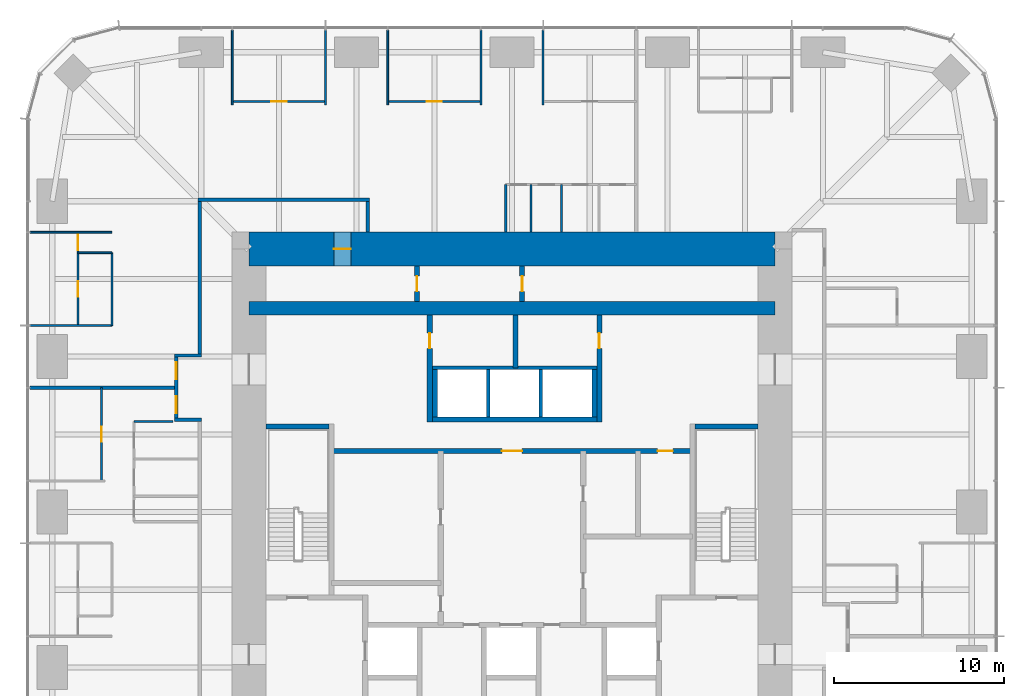
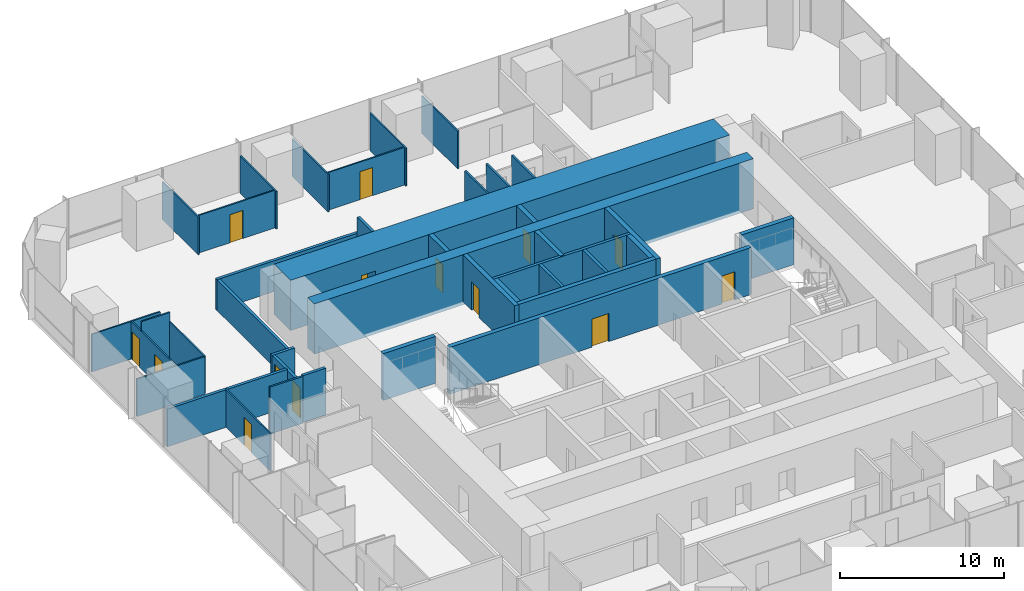
# One storey, part 11 of 13: 40 walls, 14 doors, 14 openings.
"""IFC4 building model written with IfcOpenShell, lengths in metres."""

from ifc_helpers import new_model, si_unit, direction, frame, frame_2d, origin, place, context, subcontext, project, spatial, rectangle, extrude, material, layer, layer_set, type_object, element, fill, save


model = new_model("IFC4")

# Units and contexts
model_context = context("Model", 3, precision=1e-05, world=origin(), true_north=direction((0.0, 1.0)))
body_context = subcontext(model_context, "Body", "Model", "MODEL_VIEW")
ifc_project = project(units=[si_unit("LENGTHUNIT", "METRE"), si_unit("AREAUNIT", "SQUARE_METRE"), si_unit("VOLUMEUNIT", "CUBIC_METRE"), si_unit("PLANEANGLEUNIT", "RADIAN"), si_unit("MASSUNIT", "GRAM", prefix="KILO")], contexts=[model_context])

# Site, building, storey
site_placement = place(None, origin())
site = spatial("IfcSite", under=ifc_project, at=site_placement, CompositionType="ELEMENT")
building_placement = place(site_placement, origin())
building = spatial("IfcBuilding", under=site, at=building_placement, Name="Khuree Lantern Residences", CompositionType="ELEMENT")
storey_placement = place(building_placement, frame((0.0, 0.0, 152.25)))
storey = spatial("IfcBuildingStorey", under=building, at=storey_placement, Name="L38", CompositionType="ELEMENT", Elevation=152.25)

# Walls
ifc_material_1 = material(Name="Moisture-resistant gypsum board on steel studs", Category="steel")
ifc_layer_1 = layer(ifc_material_1, 0.125)
ifc_layer_set_1 = layer_set([ifc_layer_1], Name="BATHROOM WALL BTW125")
wall_type_1 = type_object("IfcWallType", Name="BATHROOM WALL BTW125", PredefinedType="PARTITIONING", material=ifc_layer_set_1)
for number, where, z_axis, x_axis, name in (
    (1, (2.927978515625, 16.5, 0.0), (0.0, 0.0, 1.0), (0.0, 1.0, 0.0), "L38 BATHROOM WALL 03"),
    (2, (1.1279296875, 16.5, 0.0), (0.0, 0.0, 1.0), (0.0, 1.0, 0.0), "L38 BATHROOM WALL 03"),
    (3, (-0.3720703125, 16.5, 0.0), (0.0, 0.0, 1.0), (0.0, 1.0, 0.0), "L38 BATHROOM WALL 03"),
):
    element("IfcWall", number, at=place(storey_placement, frame(where, z_axis=z_axis, x_axis=x_axis)), inside=storey, type_object=wall_type_1, Name=name, PredefinedType="PARTITIONING", context=body_context, shape_type="SweptSolid", body=[
        extrude(rectangle(XDim=2.800048828125, YDim=0.125, at=frame_2d((1.39990234375, 0.0))), origin(), (0.0, 0.0, 1.0), 3.5),
    ])
wall_1_placement = place(storey_placement, frame((-19.969970703125, 5.327880859375, 0.0), z_axis=(0.0, 0.0, 1.0), x_axis=(-1.0, 0.0, 0.0)))
element("IfcWall", 4, at=wall_1_placement, inside=storey, type_object=wall_type_1, Name="L38 BATHROOM WALL 04", PredefinedType="PARTITIONING", context=body_context, shape_type="SweptSolid", body=[
    extrude(rectangle(XDim=2.309814453125, YDim=0.125, at=frame_2d((1.15478515625, 0.0))), origin(), (0.0, 0.0, 1.0), 3.5),
])
ifc_material_2 = material(Name="Dense concrete blockwork", Category="masonry")
ifc_layer_2 = layer(ifc_material_2, 0.300048828125)
ifc_layer_set_2 = layer_set([ifc_layer_2], Name="CORE PARTITION WALL CPW300 EI 120")
wall_type_2 = type_object("IfcWallType", Name="CORE PARTITION WALL CPW300 EI 120", PredefinedType="PARTITIONING", material=ifc_layer_set_2)
wall_2_placement = place(storey_placement, frame((-4.699951171875, 5.449951171875, 0.0), z_axis=(0.0, 0.0, 1.0), x_axis=(1.0, 0.0, 0.0)))
element("IfcWall", 5, at=wall_2_placement, inside=storey, type_object=wall_type_2, Name="L38 CORE WALL PHS", PredefinedType="PARTITIONING", context=body_context, shape_type="SweptSolid", body=[
    extrude(rectangle(XDim=9.699951171875, YDim=0.300048828125, at=frame_2d((4.85009765625, 0.0))), origin(), (0.0, 0.0, 1.0), 3.5),
])
for number, where, z_axis, x_axis, name in (
    (6, (-4.550048828125, 5.60009765625, 0.0), (0.0, 0.0, 1.0), (0.0, 1.0, 0.0), "L38 CORE WALL PHW"),
    (7, (4.85009765625, 5.60009765625, 0.0), (0.0, 0.0, 1.0), (0.0, 1.0, 0.0), "L38 CORE WALL PHE"),
):
    element("IfcWall", number, at=place(storey_placement, frame(where, z_axis=z_axis, x_axis=x_axis)), inside=storey, type_object=wall_type_2, Name=name, PredefinedType="PARTITIONING", context=body_context, shape_type="SweptSolid", body=[
        extrude(rectangle(XDim=2.7998046875, YDim=0.300048828125, at=frame_2d((1.39990234375, 0.0))), origin(), (0.0, 0.0, 1.0), 3.5),
    ])

# Wall, openings, doors
wall_3_placement = place(storey_placement, frame((-10.64990234375, 3.60009765625, 0.0), z_axis=(0.0, 0.0, 1.0), x_axis=(1.0, 0.0, 0.0)))
wall_3 = element("IfcWall", 8, at=wall_3_placement, inside=storey, type_object=wall_type_2, Name="L38 CORE WALL LLS", PredefinedType="PARTITIONING", context=body_context, shape_type="SweptSolid", body=[
    extrude(rectangle(XDim=21.2998046875, YDim=0.300048828125, at=frame_2d((10.64990234375, 0.0))), origin(), (0.0, 0.0, 1.0), 3.5),
])
opening_1_placement = place(wall_3_placement, frame((10.050048828125, 0.0, 0.0)))
opening_1 = element("IfcOpeningElement", 9, at=opening_1_placement, cuts=wall_3, Name="Opening 38-013", PredefinedType="OPENING", context=body_context, shape_type="SweptSolid", body=[
    extrude(rectangle(XDim=1.199951171875, YDim=2.10009765625, at=frame_2d((0.60009765625, 1.050048828125))), frame((0.0, 0.16015625, 0.0), z_axis=(0.0, -1.0, 0.0), x_axis=(1.0, 0.0, 0.0)), (0.0, 0.0, 1.0), 0.320068359375),
])
opening_2_placement = place(wall_3_placement, frame((19.238037109375, 0.0, 0.0)))
opening_2 = element("IfcOpeningElement", 10, at=opening_2_placement, cuts=wall_3, Name="Opening 38-020", PredefinedType="OPENING", context=body_context, shape_type="SweptSolid", body=[
    extrude(rectangle(XDim=0.89990234375, YDim=2.10009765625, at=frame_2d((0.449951171875, 1.050048828125))), frame((0.0, 0.16015625, 0.0), z_axis=(0.0, -1.0, 0.0), x_axis=(1.0, 0.0, 0.0)), (0.0, 0.0, 1.0), 0.320068359375),
])
ifc_material_3 = material(Name="Steel door leaf in steel frame", Category="steel")
door_type_1 = type_object("IfcDoorType", Name="DOOR 1200X2100 EI 60", OperationType="SINGLE_SWING_LEFT", PredefinedType="DOOR", material=ifc_material_3)
door_1_placement = place(opening_1_placement, origin())
door_1 = element("IfcDoor", 11, at=door_1_placement, inside=storey, type_object=door_type_1, Name="Service lift lobby door 38-013", OperationType="SINGLE_SWING_LEFT", OverallHeight=2.10009765625, OverallWidth=1.199951171875, PredefinedType="DOOR", context=body_context, shape_type="SweptSolid", body=[
    extrude(rectangle(XDim=1.199951171875, YDim=2.10009765625, at=frame_2d((0.60009765625, 1.050048828125))), frame((0.0, 0.02490234375, 0.0), z_axis=(0.0, -1.0, 0.0), x_axis=(1.0, 0.0, 0.0)), (0.0, 0.0, 1.0), 0.050048828125),
])
fill(opening_1, door_1)
ifc_material_4 = material(Name="Timber door leaf in hardwood frame", Category="wood")
door_type_2 = type_object("IfcDoorType", Name="DOOR 900X2100 RIGHT HAND", OperationType="SINGLE_SWING_RIGHT", PredefinedType="DOOR", material=ifc_material_4)
door_2_placement = place(opening_2_placement, origin())
door_2 = element("IfcDoor", 12, at=door_2_placement, inside=storey, type_object=door_type_2, Name="Housekeeping store door 38-020", OperationType="SINGLE_SWING_RIGHT", OverallHeight=2.10009765625, OverallWidth=0.89990234375, PredefinedType="DOOR", context=body_context, shape_type="SweptSolid", body=[
    extrude(rectangle(XDim=0.89990234375, YDim=2.10009765625, at=frame_2d((0.449951171875, 1.050048828125))), frame((0.0, 0.02490234375, 0.0), z_axis=(0.0, -1.0, 0.0), x_axis=(1.0, 0.0, 0.0)), (0.0, 0.0, 1.0), 0.050048828125),
])
fill(opening_2, door_2)

# Wall, opening, door
wall_4_placement = place(storey_placement, frame((-4.85009765625, 5.300048828125, 0.0), z_axis=(0.0, 0.0, 1.0), x_axis=(0.0, 1.0, 0.0)))
wall_4 = element("IfcWall", 13, at=wall_4_placement, inside=storey, type_object=wall_type_2, Name="L38 CORE WALL NW", PredefinedType="PARTITIONING", context=body_context, shape_type="SweptSolid", body=[
    extrude(rectangle(XDim=6.300048828125, YDim=0.300048828125, at=frame_2d((3.14990234375, 0.0))), origin(), (0.0, 0.0, 1.0), 3.5),
])
opening_3_placement = place(wall_4_placement, frame((4.35009765625, 0.0, 0.0)))
opening_3 = element("IfcOpeningElement", 14, at=opening_3_placement, cuts=wall_4, Name="Opening 38-021", PredefinedType="OPENING", context=body_context, shape_type="SweptSolid", body=[
    extrude(rectangle(XDim=0.89990234375, YDim=2.10009765625, at=frame_2d((0.449951171875, 1.050048828125))), frame((0.0, 0.16015625, 0.0), z_axis=(0.0, -1.0, 0.0), x_axis=(1.0, 0.0, 0.0)), (0.0, 0.0, 1.0), 0.320068359375),
])
door_3_placement = place(opening_3_placement, origin())
door_3 = element("IfcDoor", 15, at=door_3_placement, inside=storey, type_object=door_type_2, Name="Building management room door 38-021", OperationType="SINGLE_SWING_RIGHT", OverallHeight=2.10009765625, OverallWidth=0.89990234375, PredefinedType="DOOR", context=body_context, shape_type="SweptSolid", body=[
    extrude(rectangle(XDim=0.89990234375, YDim=2.10009765625, at=frame_2d((0.449951171875, 1.050048828125))), frame((0.0, 0.02490234375, 0.0), z_axis=(0.0, -1.0, 0.0), x_axis=(1.0, 0.0, 0.0)), (0.0, 0.0, 1.0), 0.050048828125),
])
fill(opening_3, door_3)

wall_5_placement = place(storey_placement, frame((5.14990234375, 5.300048828125, 0.0), z_axis=(0.0, 0.0, 1.0), x_axis=(0.0, 1.0, 0.0)))
wall_5 = element("IfcWall", 16, at=wall_5_placement, inside=storey, type_object=wall_type_2, Name="L38 CORE WALL NE", PredefinedType="PARTITIONING", context=body_context, shape_type="SweptSolid", body=[
    extrude(rectangle(XDim=6.300048828125, YDim=0.300048828125, at=frame_2d((3.14990234375, 0.0))), origin(), (0.0, 0.0, 1.0), 3.5),
])
opening_4_placement = place(wall_5_placement, frame((4.35009765625, 0.0, 0.0)))
opening_4 = element("IfcOpeningElement", 17, at=opening_4_placement, cuts=wall_5, Name="Opening 38-022", PredefinedType="OPENING", context=body_context, shape_type="SweptSolid", body=[
    extrude(rectangle(XDim=0.89990234375, YDim=2.10009765625, at=frame_2d((0.449951171875, 1.050048828125))), frame((0.0, 0.16015625, 0.0), z_axis=(0.0, -1.0, 0.0), x_axis=(1.0, 0.0, 0.0)), (0.0, 0.0, 1.0), 0.320068359375),
])
door_type_3 = type_object("IfcDoorType", Name="DOOR 900X2100", OperationType="SINGLE_SWING_LEFT", PredefinedType="DOOR", material=ifc_material_4)
door_4_placement = place(opening_4_placement, origin())
door_4 = element("IfcDoor", 18, at=door_4_placement, inside=storey, type_object=door_type_3, Name="Refuse holding room door 38-022", OperationType="SINGLE_SWING_LEFT", OverallHeight=2.10009765625, OverallWidth=0.89990234375, PredefinedType="DOOR", context=body_context, shape_type="SweptSolid", body=[
    extrude(rectangle(XDim=0.89990234375, YDim=2.10009765625, at=frame_2d((0.449951171875, 1.050048828125))), frame((0.0, 0.02490234375, 0.0), z_axis=(0.0, -1.0, 0.0), x_axis=(1.0, 0.0, 0.0)), (0.0, 0.0, 1.0), 0.050048828125),
])
fill(opening_4, door_4)

# Wall
wall_6_placement = place(storey_placement, frame((0.199951171875, 8.5, 0.0), z_axis=(0.0, 0.0, 1.0), x_axis=(0.0, 1.0, 0.0)))
element("IfcWall", 19, at=wall_6_placement, inside=storey, type_object=wall_type_2, Name="L38 CORE WALL NX", PredefinedType="PARTITIONING", context=body_context, shape_type="SweptSolid", body=[
    extrude(rectangle(XDim=3.10009765625, YDim=0.300048828125, at=frame_2d((1.550048828125, 0.0))), origin(), (0.0, 0.0, 1.0), 3.5),
])

# Wall, opening, door
wall_7_placement = place(storey_placement, frame((-5.60009765625, 12.39990234375, 0.0), z_axis=(0.0, 0.0, 1.0), x_axis=(0.0, 1.0, 0.0)))
wall_7 = element("IfcWall", 20, at=wall_7_placement, inside=storey, type_object=wall_type_2, Name="L38 CORE WALL PLX", PredefinedType="PARTITIONING", context=body_context, shape_type="SweptSolid", body=[
    extrude(rectangle(XDim=2.10009765625, YDim=0.300048828125, at=frame_2d((1.050048828125, 0.0))), origin(), (0.0, 0.0, 1.0), 3.5),
])
opening_5_placement = place(wall_7_placement, frame((0.60009765625, 0.0, 0.0)))
opening_5 = element("IfcOpeningElement", 21, at=opening_5_placement, cuts=wall_7, Name="Opening 38-023", PredefinedType="OPENING", context=body_context, shape_type="SweptSolid", body=[
    extrude(rectangle(XDim=0.89990234375, YDim=2.10009765625, at=frame_2d((0.449951171875, 1.050048828125))), frame((0.0, 0.16015625, 0.0), z_axis=(0.0, -1.0, 0.0), x_axis=(1.0, 0.0, 0.0)), (0.0, 0.0, 1.0), 0.320068359375),
])
door_5_placement = place(opening_5_placement, origin())
door_5 = element("IfcDoor", 22, at=door_5_placement, inside=storey, type_object=door_type_3, Name="Spares store door 38-023", OperationType="SINGLE_SWING_LEFT", OverallHeight=2.10009765625, OverallWidth=0.89990234375, PredefinedType="DOOR", context=body_context, shape_type="SweptSolid", body=[
    extrude(rectangle(XDim=0.89990234375, YDim=2.10009765625, at=frame_2d((0.449951171875, 1.050048828125))), frame((0.0, 0.02490234375, 0.0), z_axis=(0.0, -1.0, 0.0), x_axis=(1.0, 0.0, 0.0)), (0.0, 0.0, 1.0), 0.050048828125),
])
fill(opening_5, door_5)

wall_8_placement = place(storey_placement, frame((0.60009765625, 12.39990234375, 0.0), z_axis=(0.0, 0.0, 1.0), x_axis=(0.0, 1.0, 0.0)))
wall_8 = element("IfcWall", 23, at=wall_8_placement, inside=storey, type_object=wall_type_2, Name="L38 CORE WALL PLY", PredefinedType="PARTITIONING", context=body_context, shape_type="SweptSolid", body=[
    extrude(rectangle(XDim=2.10009765625, YDim=0.300048828125, at=frame_2d((1.050048828125, 0.0))), origin(), (0.0, 0.0, 1.0), 3.5),
])
opening_6_placement = place(wall_8_placement, frame((0.60009765625, 0.0, 0.0)))
opening_6 = element("IfcOpeningElement", 24, at=opening_6_placement, cuts=wall_8, Name="Opening 38-024", PredefinedType="OPENING", context=body_context, shape_type="SweptSolid", body=[
    extrude(rectangle(XDim=0.89990234375, YDim=2.10009765625, at=frame_2d((0.449951171875, 1.050048828125))), frame((0.0, 0.16015625, 0.0), z_axis=(0.0, -1.0, 0.0), x_axis=(1.0, 0.0, 0.0)), (0.0, 0.0, 1.0), 0.320068359375),
])
door_6_placement = place(opening_6_placement, origin())
door_6 = element("IfcDoor", 25, at=door_6_placement, inside=storey, type_object=door_type_3, Name="Housekeeping store door 38-024", OperationType="SINGLE_SWING_LEFT", OverallHeight=2.10009765625, OverallWidth=0.89990234375, PredefinedType="DOOR", context=body_context, shape_type="SweptSolid", body=[
    extrude(rectangle(XDim=0.89990234375, YDim=2.10009765625, at=frame_2d((0.449951171875, 1.050048828125))), frame((0.0, 0.02490234375, 0.0), z_axis=(0.0, -1.0, 0.0), x_axis=(1.0, 0.0, 0.0)), (0.0, 0.0, 1.0), 0.050048828125),
])
fill(opening_6, door_6)

# Walls
ifc_material_5 = material(Name="Gypsum board on steel studs", Category="steel")
ifc_layer_3 = layer(ifc_material_5, 0.199951171875)
ifc_layer_set_3 = layer_set([ifc_layer_3], Name="CORRIDOR WALL CRW200 EI 60")
wall_type_3 = type_object("IfcWallType", Name="CORRIDOR WALL CRW200 EI 60", PredefinedType="PARTITIONING", material=ifc_layer_set_3)
wall_9_placement = place(storey_placement, frame((-18.5, 18.39990234375, 0.0), z_axis=(0.0, 0.0, 1.0), x_axis=(1.0, 0.0, 0.0)))
element("IfcWall", 26, at=wall_9_placement, inside=storey, type_object=wall_type_3, Name="L38 CORRIDOR WALL NORTH", PredefinedType="PARTITIONING", context=body_context, shape_type="SweptSolid", body=[
    extrude(rectangle(XDim=10.10009765625, YDim=0.199951171875, at=frame_2d((5.050048828125, 0.0))), origin(), (0.0, 0.0, 1.0), 2.300048828125),
])
wall_10_placement = place(storey_placement, frame((-8.5, 18.300048828125, 0.0), z_axis=(0.0, 0.0, 1.0), x_axis=(0.0, -1.0, 0.0)))
element("IfcWall", 27, at=wall_10_placement, inside=storey, type_object=wall_type_3, Name="L38 NORTH CORRIDOR END WALL", PredefinedType="PARTITIONING", context=body_context, shape_type="SweptSolid", body=[
    extrude(rectangle(XDim=1.800048828125, YDim=0.199951171875, at=frame_2d((0.89990234375, 0.0))), origin(), (0.0, 0.0, 1.0), 3.5),
])
wall_11_placement = place(storey_placement, frame((-18.39990234375, 18.300048828125, 0.0), z_axis=(0.0, 0.0, 1.0), x_axis=(0.0, -1.0, 0.0)))
element("IfcWall", 28, at=wall_11_placement, inside=storey, type_object=wall_type_3, Name="L38 CORRIDOR WALL WEST 1", PredefinedType="PARTITIONING", context=body_context, shape_type="SweptSolid", body=[
    extrude(rectangle(XDim=8.97216796875, YDim=0.199951171875, at=frame_2d((4.486083984375, 0.0))), origin(), (0.0, 0.0, 1.0), 2.300048828125),
])
wall_12_placement = place(storey_placement, frame((-18.300048828125, 9.22802734375, 0.0), z_axis=(0.0, 0.0, 1.0), x_axis=(-1.0, 0.0, 0.0)))
element("IfcWall", 29, at=wall_12_placement, inside=storey, type_object=wall_type_3, Name="L38 CORRIDOR ALCOVE WALL WEST", PredefinedType="PARTITIONING", context=body_context, shape_type="SweptSolid", body=[
    extrude(rectangle(XDim=1.599853515625, YDim=0.199951171875, at=frame_2d((0.7998046875, 0.0))), origin(), (0.0, 0.0, 1.0), 2.699951171875),
])
wall_13_placement = place(storey_placement, frame((-18.300048828125, 5.427978515625, 0.0), z_axis=(0.0, 0.0, 1.0), x_axis=(-1.0, 0.0, 0.0)))
element("IfcWall", 30, at=wall_13_placement, inside=storey, type_object=wall_type_3, Name="L38 CORRIDOR ALCOVE WALL WEST", PredefinedType="PARTITIONING", context=body_context, shape_type="SweptSolid", body=[
    extrude(rectangle(XDim=1.599853515625, YDim=0.199951171875, at=frame_2d((0.7998046875, 0.0))), origin(), (0.0, 0.0, 1.0), 3.5),
])

# Wall, openings, doors
wall_14_placement = place(storey_placement, frame((-19.800048828125, 9.1279296875, 0.0), z_axis=(0.0, 0.0, 1.0), x_axis=(0.0, -1.0, 0.0)))
wall_14 = element("IfcWall", 31, at=wall_14_placement, inside=storey, type_object=wall_type_3, Name="L38 CORRIDOR ALCOVE WALL WEST", PredefinedType="PARTITIONING", context=body_context, shape_type="SweptSolid", body=[
    extrude(rectangle(XDim=3.599853515625, YDim=0.199951171875, at=frame_2d((1.7998046875, 0.0))), origin(), (0.0, 0.0, 1.0), 2.699951171875),
])
opening_7_placement = place(wall_14_placement, frame((0.300048828125, 0.0, 0.0)))
opening_7 = element("IfcOpeningElement", 32, at=opening_7_placement, cuts=wall_14, Name="Opening 38-042", PredefinedType="OPENING", context=body_context, shape_type="SweptSolid", body=[
    extrude(rectangle(XDim=1.0, YDim=2.199951171875, at=frame_2d((0.5, 1.10009765625))), frame((0.0, 0.10986328125, 0.0), z_axis=(0.0, -1.0, 0.0), x_axis=(1.0, 0.0, 0.0)), (0.0, 0.0, 1.0), 0.219970703125),
])
opening_8_placement = place(wall_14_placement, frame((2.300048828125, 0.0, 0.0)))
opening_8 = element("IfcOpeningElement", 33, at=opening_8_placement, cuts=wall_14, Name="Opening 38-051", PredefinedType="OPENING", context=body_context, shape_type="SweptSolid", body=[
    extrude(rectangle(XDim=1.0, YDim=2.199951171875, at=frame_2d((0.5, 1.10009765625))), frame((0.0, 0.10986328125, 0.0), z_axis=(0.0, -1.0, 0.0), x_axis=(1.0, 0.0, 0.0)), (0.0, 0.0, 1.0), 0.219970703125),
])
door_type_4 = type_object("IfcDoorType", Name="APARTMENT ENTRANCE DOOR 1000X2200 EI 30S", OperationType="SINGLE_SWING_LEFT", PredefinedType="DOOR", material=ifc_material_4)
door_7_placement = place(opening_7_placement, origin())
door_7 = element("IfcDoor", 34, at=door_7_placement, inside=storey, type_object=door_type_4, Name="Apartment 03 entrance door 38-042", OperationType="SINGLE_SWING_LEFT", OverallHeight=2.199951171875, OverallWidth=1.0, PredefinedType="DOOR", context=body_context, shape_type="SweptSolid", body=[
    extrude(rectangle(XDim=1.0, YDim=2.199951171875, at=frame_2d((0.5, 1.10009765625))), frame((0.0, 0.02490234375, 0.0), z_axis=(0.0, -1.0, 0.0), x_axis=(1.0, 0.0, 0.0)), (0.0, 0.0, 1.0), 0.050048828125),
])
fill(opening_7, door_7)
door_type_5 = type_object("IfcDoorType", Name="APARTMENT ENTRANCE DOOR 1000X2200 EI 30S RIGHT HAND", OperationType="SINGLE_SWING_RIGHT", PredefinedType="DOOR", material=ifc_material_4)
door_8_placement = place(opening_8_placement, origin())
door_8 = element("IfcDoor", 35, at=door_8_placement, inside=storey, type_object=door_type_5, Name="Apartment 04 entrance door 38-051", OperationType="SINGLE_SWING_RIGHT", OverallHeight=2.199951171875, OverallWidth=1.0, PredefinedType="DOOR", context=body_context, shape_type="SweptSolid", body=[
    extrude(rectangle(XDim=1.0, YDim=2.199951171875, at=frame_2d((0.5, 1.10009765625))), frame((0.0, 0.02490234375, 0.0), z_axis=(0.0, -1.0, 0.0), x_axis=(1.0, 0.0, 0.0)), (0.0, 0.0, 1.0), 0.050048828125),
])
fill(opening_8, door_8)

# Wall, opening, door
ifc_material_6 = material(Name="Concrete C70/85", Category="concrete")
ifc_layer_4 = layer(ifc_material_6, 2.0)
ifc_layer_set_4 = layer_set([ifc_layer_4], Name="CW2000-C70 CORE WALL C70 2000")
wall_type_4 = type_object("IfcWallType", Name="CW2000-C70 CORE WALL C70 2000", PredefinedType="SHEAR", material=ifc_layer_set_4)
wall_15_placement = place(storey_placement, frame((-15.5, 15.5, -0.25), z_axis=(0.0, 0.0, 1.0), x_axis=(1.0, 0.0, 0.0)))
wall_15 = element("IfcWall", 36, at=wall_15_placement, inside=storey, type_object=wall_type_4, Name="Core wall N", PredefinedType="SHEAR", context=body_context, shape_type="SweptSolid", body=[
    extrude(rectangle(XDim=31.0, YDim=2.0, at=frame_2d((15.5, 0.0))), origin(), (0.0, 0.0, 1.0), 3.75),
])
opening_9_placement = place(wall_15_placement, frame((5.0, 0.0, 0.25)))
opening_9 = element("IfcOpeningElement", 37, at=opening_9_placement, cuts=wall_15, Name="Opening 38-025", PredefinedType="OPENING", context=body_context, shape_type="SweptSolid", body=[
    extrude(rectangle(XDim=1.0, YDim=2.10009765625, at=frame_2d((0.5, 1.050048828125))), frame((0.0, 1.010009765625, 0.0), z_axis=(0.0, -1.0, 0.0), x_axis=(1.0, 0.0, 0.0)), (0.0, 0.0, 1.0), 2.02001953125),
])
door_type_6 = type_object("IfcDoorType", Name="DOOR 1000X2100 EI 60 RIGHT HAND", OperationType="SINGLE_SWING_RIGHT", PredefinedType="DOOR", material=ifc_material_3)
door_9_placement = place(opening_9_placement, origin())
door_9 = element("IfcDoor", 38, at=door_9_placement, inside=storey, type_object=door_type_6, Name="Residents' store door 38-025", OperationType="SINGLE_SWING_RIGHT", OverallHeight=2.10009765625, OverallWidth=1.0, PredefinedType="DOOR", context=body_context, shape_type="SweptSolid", body=[
    extrude(rectangle(XDim=1.0, YDim=2.10009765625, at=frame_2d((0.5, 1.050048828125))), frame((0.0, 0.02490234375, 0.0), z_axis=(0.0, -1.0, 0.0), x_axis=(1.0, 0.0, 0.0)), (0.0, 0.0, 1.0), 0.050048828125),
])
fill(opening_9, door_9)

# Walls
ifc_layer_5 = layer(ifc_material_5, 0.199951171875)
ifc_layer_set_5 = layer_set([ifc_layer_5], Name="DEMISING WALL DMW200 EI 90")
wall_type_5 = type_object("IfcWallType", Name="DEMISING WALL DMW200 EI 90", PredefinedType="PARTITIONING", material=ifc_layer_set_5)
wall_16_placement = place(storey_placement, frame((-19.89990234375, 7.327880859375, 0.0), z_axis=(0.0, 0.0, 1.0), x_axis=(-1.0, 0.0, 0.0)))
element("IfcWall", 39, at=wall_16_placement, inside=storey, type_object=wall_type_5, Name="L38 DEMISING WALL 04", PredefinedType="PARTITIONING", context=body_context, shape_type="SweptSolid", body=[
    extrude(rectangle(XDim=8.5, YDim=0.199951171875, at=frame_2d((4.25, 0.0))), origin(), (0.0, 0.0, 1.0), 2.81005859375),
])
ifc_layer_6 = layer(ifc_material_5, 0.10009765625)
ifc_layer_set_6 = layer_set([ifc_layer_6], Name="PARTITION PT100")
wall_type_6 = type_object("IfcWallType", Name="PARTITION PT100", PredefinedType="PARTITIONING", material=ifc_layer_set_6)
for number, where, z_axis, x_axis, name in (
    (40, (1.83203125, 24.0, 0.0), (0.0, 0.0, 1.0), (0.0, 1.0, 0.0), "L38 PARTITION 03"),
    (41, (-1.83203125, 24.0, 0.0), (0.0, 0.0, 1.0), (0.0, 1.0, 0.0), "L38 PARTITION 03"),
    (42, (-7.327880859375, 24.0, 0.0), (0.0, 0.0, 1.0), (0.0, 1.0, 0.0), "L38 PARTITION 03"),
    (43, (-10.991943359375, 24.0, 0.0), (0.0, 0.0, 1.0), (0.0, 1.0, 0.0), "L38 PARTITION 03"),
    (44, (-16.488037109375, 24.0, 0.0), (0.0, 0.0, 1.0), (0.0, 1.0, 0.0), "L38 PARTITION 03"),
):
    element("IfcWall", number, at=place(storey_placement, frame(where, z_axis=z_axis, x_axis=x_axis)), inside=storey, type_object=wall_type_6, Name=name, PredefinedType="PARTITIONING", context=body_context, shape_type="SweptSolid", body=[
        extrude(rectangle(XDim=4.39990234375, YDim=0.10009765625, at=frame_2d((2.199951171875, 0.0))), origin(), (0.0, 0.0, 1.0), 2.81005859375),
    ])
for number, where, z_axis, x_axis, name in (
    (45, (-23.579833984375, 16.488037109375, 0.0), (0.0, 0.0, 1.0), (-1.0, 0.0, 0.0), "L38 PARTITION 03"),
    (46, (-23.579833984375, 10.991943359375, 0.0), (0.0, 0.0, 1.0), (-1.0, 0.0, 0.0), "L38 PARTITION 03"),
):
    element("IfcWall", number, at=place(storey_placement, frame(where, z_axis=z_axis, x_axis=x_axis)), inside=storey, type_object=wall_type_6, Name=name, PredefinedType="PARTITIONING", context=body_context, shape_type="SweptSolid", body=[
        extrude(rectangle(XDim=4.820068359375, YDim=0.10009765625, at=frame_2d((2.41015625, 0.0))), origin(), (0.0, 0.0, 1.0), 2.81005859375),
    ])

# Wall, opening, door
wall_17_placement = place(storey_placement, frame((-1.83203125, 24.199951171875, 0.0), z_axis=(0.0, 0.0, 1.0), x_axis=(-1.0, 0.0, 0.0)))
wall_17 = element("IfcWall", 47, at=wall_17_placement, inside=storey, type_object=wall_type_6, Name="L38 PARTITION 03", PredefinedType="PARTITIONING", context=body_context, shape_type="SweptSolid", body=[
    extrude(rectangle(XDim=5.495849609375, YDim=0.10009765625, at=frame_2d((2.748046875, 0.0))), origin(), (0.0, 0.0, 1.0), 2.81005859375),
])
opening_10_placement = place(wall_17_placement, frame((2.298095703125, 0.0, 0.0)))
opening_10 = element("IfcOpeningElement", 48, at=opening_10_placement, cuts=wall_17, Name="Opening 38-034", PredefinedType="OPENING", context=body_context, shape_type="SweptSolid", body=[
    extrude(rectangle(XDim=0.89990234375, YDim=2.10009765625, at=frame_2d((0.449951171875, 1.050048828125))), frame((0.0, 0.06005859375, 0.0), z_axis=(0.0, -1.0, 0.0), x_axis=(1.0, 0.0, 0.0)), (0.0, 0.0, 1.0), 0.1201171875),
])
door_type_7 = type_object("IfcDoorType", Name="BEDROOM DOOR 900X2100", OperationType="SINGLE_SWING_LEFT", PredefinedType="DOOR", material=ifc_material_4)
door_10_placement = place(opening_10_placement, origin())
door_10 = element("IfcDoor", 49, at=door_10_placement, inside=storey, type_object=door_type_7, Name="Bedroom door 38-034", OperationType="SINGLE_SWING_LEFT", OverallHeight=2.10009765625, OverallWidth=0.89990234375, PredefinedType="DOOR", context=body_context, shape_type="SweptSolid", body=[
    extrude(rectangle(XDim=0.89990234375, YDim=2.10009765625, at=frame_2d((0.449951171875, 1.050048828125))), frame((0.0, 0.02490234375, 0.0), z_axis=(0.0, -1.0, 0.0), x_axis=(1.0, 0.0, 0.0)), (0.0, 0.0, 1.0), 0.050048828125),
])
fill(opening_10, door_10)

wall_18_placement = place(storey_placement, frame((-10.991943359375, 24.199951171875, 0.0), z_axis=(0.0, 0.0, 1.0), x_axis=(-1.0, 0.0, 0.0)))
wall_18 = element("IfcWall", 50, at=wall_18_placement, inside=storey, type_object=wall_type_6, Name="L38 PARTITION 03", PredefinedType="PARTITIONING", context=body_context, shape_type="SweptSolid", body=[
    extrude(rectangle(XDim=5.49609375, YDim=0.10009765625, at=frame_2d((2.748046875, 0.0))), origin(), (0.0, 0.0, 1.0), 2.81005859375),
])
opening_11_placement = place(wall_18_placement, frame((2.298095703125, 0.0, 0.0)))
opening_11 = element("IfcOpeningElement", 51, at=opening_11_placement, cuts=wall_18, Name="Opening 38-035", PredefinedType="OPENING", context=body_context, shape_type="SweptSolid", body=[
    extrude(rectangle(XDim=0.89990234375, YDim=2.10009765625, at=frame_2d((0.449951171875, 1.050048828125))), frame((0.0, 0.06005859375, 0.0), z_axis=(0.0, -1.0, 0.0), x_axis=(1.0, 0.0, 0.0)), (0.0, 0.0, 1.0), 0.1201171875),
])
door_11_placement = place(opening_11_placement, origin())
door_11 = element("IfcDoor", 52, at=door_11_placement, inside=storey, type_object=door_type_7, Name="Bedroom door 38-035", OperationType="SINGLE_SWING_LEFT", OverallHeight=2.10009765625, OverallWidth=0.89990234375, PredefinedType="DOOR", context=body_context, shape_type="SweptSolid", body=[
    extrude(rectangle(XDim=0.89990234375, YDim=2.10009765625, at=frame_2d((0.449951171875, 1.050048828125))), frame((0.0, 0.02490234375, 0.0), z_axis=(0.0, -1.0, 0.0), x_axis=(1.0, 0.0, 0.0)), (0.0, 0.0, 1.0), 0.050048828125),
])
fill(opening_11, door_11)

# Wall, openings, doors
wall_19_placement = place(storey_placement, frame((-25.579833984375, 16.488037109375, 0.0), z_axis=(0.0, 0.0, 1.0), x_axis=(0.0, -1.0, 0.0)))
wall_19 = element("IfcWall", 53, at=wall_19_placement, inside=storey, type_object=wall_type_6, Name="L38 PARTITION 03", PredefinedType="PARTITIONING", context=body_context, shape_type="SweptSolid", body=[
    extrude(rectangle(XDim=5.49609375, YDim=0.10009765625, at=frame_2d((2.748046875, 0.0))), origin(), (0.0, 0.0, 1.0), 2.81005859375),
])
opening_12_placement = place(wall_19_placement, frame((0.14990234375, 0.0, 0.0)))
opening_12 = element("IfcOpeningElement", 54, at=opening_12_placement, cuts=wall_19, Name="Opening 38-036", PredefinedType="OPENING", context=body_context, shape_type="SweptSolid", body=[
    extrude(rectangle(XDim=0.89990234375, YDim=2.10009765625, at=frame_2d((0.449951171875, 1.050048828125))), frame((0.0, 0.06005859375, 0.0), z_axis=(0.0, -1.0, 0.0), x_axis=(1.0, 0.0, 0.0)), (0.0, 0.0, 1.0), 0.1201171875),
])
opening_13_placement = place(wall_19_placement, frame((2.89794921875, 0.0, 0.0)))
opening_13 = element("IfcOpeningElement", 55, at=opening_13_placement, cuts=wall_19, Name="Opening 38-037", PredefinedType="OPENING", context=body_context, shape_type="SweptSolid", body=[
    extrude(rectangle(XDim=0.89990234375, YDim=2.10009765625, at=frame_2d((0.449951171875, 1.050048828125))), frame((0.0, 0.06005859375, 0.0), z_axis=(0.0, -1.0, 0.0), x_axis=(1.0, 0.0, 0.0)), (0.0, 0.0, 1.0), 0.1201171875),
])
door_12_placement = place(opening_12_placement, origin())
door_12 = element("IfcDoor", 56, at=door_12_placement, inside=storey, type_object=door_type_7, Name="Bedroom door 38-036", OperationType="SINGLE_SWING_LEFT", OverallHeight=2.10009765625, OverallWidth=0.89990234375, PredefinedType="DOOR", context=body_context, shape_type="SweptSolid", body=[
    extrude(rectangle(XDim=0.89990234375, YDim=2.10009765625, at=frame_2d((0.449951171875, 1.050048828125))), frame((0.0, 0.02490234375, 0.0), z_axis=(0.0, -1.0, 0.0), x_axis=(1.0, 0.0, 0.0)), (0.0, 0.0, 1.0), 0.050048828125),
])
fill(opening_12, door_12)
door_13_placement = place(opening_13_placement, origin())
door_13 = element("IfcDoor", 57, at=door_13_placement, inside=storey, type_object=door_type_3, Name="Wardrobe door 38-037", OperationType="SINGLE_SWING_LEFT", OverallHeight=2.10009765625, OverallWidth=0.89990234375, PredefinedType="DOOR", context=body_context, shape_type="SweptSolid", body=[
    extrude(rectangle(XDim=0.89990234375, YDim=2.10009765625, at=frame_2d((0.449951171875, 1.050048828125))), frame((0.0, 0.02490234375, 0.0), z_axis=(0.0, -1.0, 0.0), x_axis=(1.0, 0.0, 0.0)), (0.0, 0.0, 1.0), 0.050048828125),
])
fill(opening_13, door_13)

# Walls
wall_20_placement = place(storey_placement, frame((-23.579833984375, 15.2880859375, 0.0), z_axis=(0.0, 0.0, 1.0), x_axis=(-1.0, 0.0, 0.0)))
element("IfcWall", 58, at=wall_20_placement, inside=storey, type_object=wall_type_6, Name="L38 PARTITION 03", PredefinedType="PARTITIONING", context=body_context, shape_type="SweptSolid", body=[
    extrude(rectangle(XDim=2.0, YDim=0.10009765625, at=frame_2d((1.0, 0.0))), origin(), (0.0, 0.0, 1.0), 3.5),
])
wall_21_placement = place(storey_placement, frame((-23.579833984375, 15.2880859375, 0.0), z_axis=(0.0, 0.0, 1.0), x_axis=(0.0, -1.0, 0.0)))
element("IfcWall", 59, at=wall_21_placement, inside=storey, type_object=wall_type_6, Name="L38 PARTITION 03", PredefinedType="PARTITIONING", context=body_context, shape_type="SweptSolid", body=[
    extrude(rectangle(XDim=4.296142578125, YDim=0.10009765625, at=frame_2d((2.14794921875, 0.0))), origin(), (0.0, 0.0, 1.0), 2.81005859375),
])

# Wall, opening, door
wall_22_placement = place(storey_placement, frame((-24.199951171875, 7.327880859375, 0.0), z_axis=(0.0, 0.0, 1.0), x_axis=(0.0, -1.0, 0.0)))
wall_22 = element("IfcWall", 60, at=wall_22_placement, inside=storey, type_object=wall_type_6, Name="L38 PARTITION 04", PredefinedType="PARTITIONING", context=body_context, shape_type="SweptSolid", body=[
    extrude(rectangle(XDim=5.495849609375, YDim=0.10009765625, at=frame_2d((2.748046875, 0.0))), origin(), (0.0, 0.0, 1.0), 2.81005859375),
])
opening_14_placement = place(wall_22_placement, frame((2.298095703125, 0.0, 0.0)))
opening_14 = element("IfcOpeningElement", 61, at=opening_14_placement, cuts=wall_22, Name="Opening 38-043", PredefinedType="OPENING", context=body_context, shape_type="SweptSolid", body=[
    extrude(rectangle(XDim=0.89990234375, YDim=2.10009765625, at=frame_2d((0.449951171875, 1.050048828125))), frame((0.0, 0.06005859375, 0.0), z_axis=(0.0, -1.0, 0.0), x_axis=(1.0, 0.0, 0.0)), (0.0, 0.0, 1.0), 0.1201171875),
])
door_14_placement = place(opening_14_placement, origin())
door_14 = element("IfcDoor", 62, at=door_14_placement, inside=storey, type_object=door_type_7, Name="Bedroom door 38-043", OperationType="SINGLE_SWING_LEFT", OverallHeight=2.10009765625, OverallWidth=0.89990234375, PredefinedType="DOOR", context=body_context, shape_type="SweptSolid", body=[
    extrude(rectangle(XDim=0.89990234375, YDim=2.10009765625, at=frame_2d((0.449951171875, 1.050048828125))), frame((0.0, 0.02490234375, 0.0), z_axis=(0.0, -1.0, 0.0), x_axis=(1.0, 0.0, 0.0)), (0.0, 0.0, 1.0), 0.050048828125),
])
fill(opening_14, door_14)

# Walls
ifc_layer_7 = layer(ifc_material_2, 0.199951171875)
ifc_layer_set_7 = layer_set([ifc_layer_7], Name="SHAFT WALL SHW200 EI 120")
wall_type_7 = type_object("IfcWallType", Name="SHAFT WALL SHW200 EI 120", PredefinedType="PARTITIONING", material=ifc_layer_set_7)
wall_23_placement = place(storey_placement, frame((-4.699951171875, 8.5, 0.0), z_axis=(0.0, 0.0, 1.0), x_axis=(1.0, 0.0, 0.0)))
element("IfcWall", 63, at=wall_23_placement, inside=storey, type_object=wall_type_7, Name="L38 CORE WALL PHN", PredefinedType="PARTITIONING", context=body_context, shape_type="SweptSolid", body=[
    extrude(rectangle(XDim=9.699951171875, YDim=0.199951171875, at=frame_2d((4.85009765625, 0.0))), origin(), (0.0, 0.0, 1.0), 3.5),
])
for number, where, z_axis, x_axis, name in (
    (64, (-1.39990234375, 5.60009765625, 0.0), (0.0, 0.0, 1.0), (0.0, 1.0, 0.0), "L38 CORE WALL PHD1"),
    (65, (1.699951171875, 5.60009765625, 0.0), (0.0, 0.0, 1.0), (0.0, 1.0, 0.0), "L38 CORE WALL PHD2"),
):
    element("IfcWall", number, at=place(storey_placement, frame(where, z_axis=z_axis, x_axis=x_axis)), inside=storey, type_object=wall_type_7, Name=name, PredefinedType="PARTITIONING", context=body_context, shape_type="SweptSolid", body=[
        extrude(rectangle(XDim=2.7998046875, YDim=0.199951171875, at=frame_2d((1.39990234375, 0.0))), origin(), (0.0, 0.0, 1.0), 3.5),
    ])
ifc_layer_8 = layer(ifc_material_6, 0.800048828125)
ifc_layer_set_8 = layer_set([ifc_layer_8], Name="SP800-C70 CORE SPINE WALL C70 800")
wall_type_8 = type_object("IfcWallType", Name="SP800-C70 CORE SPINE WALL C70 800", PredefinedType="SHEAR", material=ifc_layer_set_8)
wall_24_placement = place(storey_placement, frame((-15.5, 12.0, -0.25), z_axis=(0.0, 0.0, 1.0), x_axis=(1.0, 0.0, 0.0)))
element("IfcWall", 66, at=wall_24_placement, inside=storey, type_object=wall_type_8, Name="Core wall SPN", PredefinedType="SHEAR", context=body_context, shape_type="SweptSolid", body=[
    extrude(rectangle(XDim=31.0, YDim=0.800048828125, at=frame_2d((15.5, 0.0))), origin(), (0.0, 0.0, 1.0), 3.75),
])
ifc_material_7 = material(Name="Concrete C50/60", Category="concrete")
ifc_layer_9 = layer(ifc_material_7, 0.300048828125)
ifc_layer_set_9 = layer_set([ifc_layer_9], Name="STAIR WALL SRW300 C50/60 REI 240")
wall_type_9 = type_object("IfcWallType", Name="STAIR WALL SRW300 C50/60 REI 240", PredefinedType="SOLIDWALL", material=ifc_layer_set_9)
for number, where, z_axis, x_axis, name in (
    (67, (-14.5, 5.050048828125, 0.0), (0.0, 0.0, 1.0), (1.0, 0.0, 0.0), "L38 STAIR WALL ST1N"),
    (68, (14.5, 5.050048828125, 0.0), (0.0, 0.0, 1.0), (-1.0, 0.0, 0.0), "L38 STAIR WALL ST2N"),
):
    element("IfcWall", number, at=place(storey_placement, frame(where, z_axis=z_axis, x_axis=x_axis)), inside=storey, type_object=wall_type_9, Name=name, PredefinedType="SOLIDWALL", context=body_context, shape_type="SweptSolid", body=[
        extrude(rectangle(XDim=3.699951171875, YDim=0.300048828125, at=frame_2d((1.85009765625, 0.0))), origin(), (0.0, 0.0, 1.0), 3.5),
    ])

save(model, "model.ifc")
